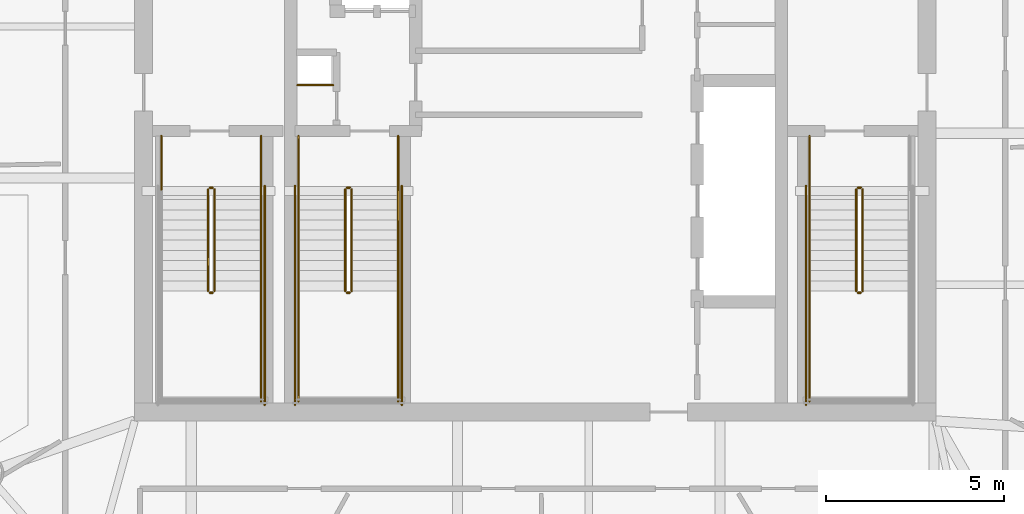
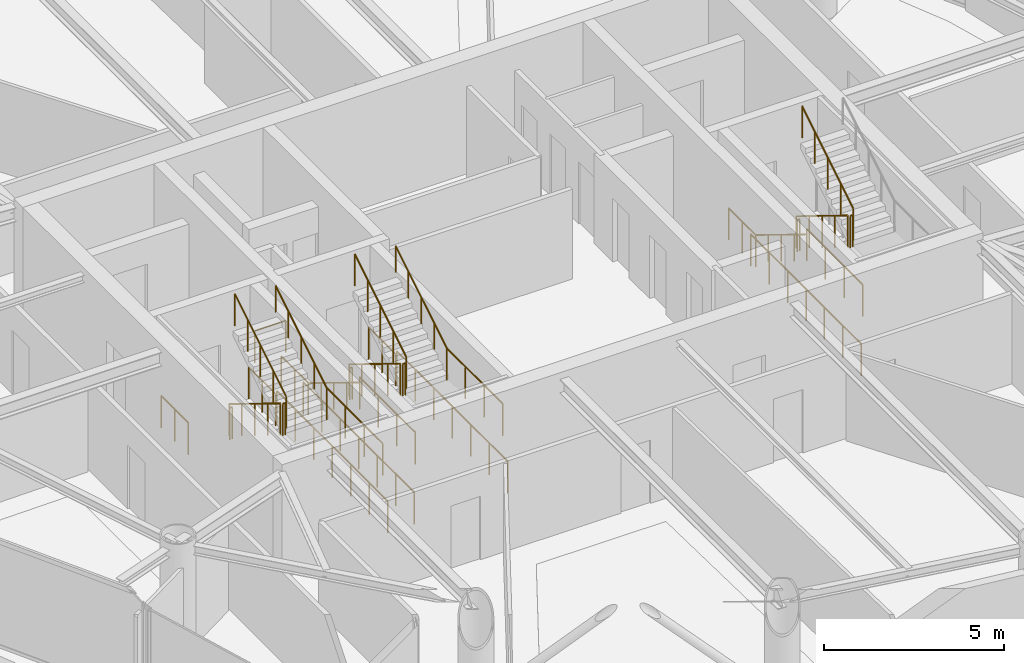
# One storey, part 21 of 22: 30 railings.
"""IFC4 building model written with IfcOpenShell, lengths in metres."""

from ifc_helpers import new_model, si_unit, direction, frame, origin, origin_2d, place, context, subcontext, project, spatial, circle, extrude, material, type_object, element, save


model = new_model("IFC4")

# Units and contexts
model_context = context("Model", 3, precision=1e-05, world=origin(), true_north=direction((0.0, 1.0)))
body_context = subcontext(model_context, "Body", "Model", "MODEL_VIEW")
ifc_project = project(units=[si_unit("LENGTHUNIT", "METRE"), si_unit("AREAUNIT", "SQUARE_METRE"), si_unit("VOLUMEUNIT", "CUBIC_METRE"), si_unit("PLANEANGLEUNIT", "RADIAN"), si_unit("MASSUNIT", "GRAM", prefix="KILO")], contexts=[model_context])

# Site, building, storey
site_placement = place(None, origin())
site = spatial("IfcSite", under=ifc_project, at=site_placement, CompositionType="ELEMENT")
building_placement = place(site_placement, origin())
building = spatial("IfcBuilding", under=site, at=building_placement, Name="Bramvorn Convention Spire", CompositionType="ELEMENT")
storey_placement = place(building_placement, frame((0.0, 0.0, 253.60009765625)))
storey = spatial("IfcBuildingStorey", under=building, at=storey_placement, Name="L64", CompositionType="ELEMENT", Elevation=253.60009765625)

# Railings
ifc_material_1 = material(Name="Painted Steel Balustrade & Guardrail", Category="steel")
railing_type_1 = type_object("IfcRailingType", Name="RL-STAIR-GUARD-1100", PredefinedType="GUARDRAIL", material=ifc_material_1)
railing_1_placement = place(storey_placement, frame((28.81005859375, 25.050048828125, 0.1748046875)))
element("IfcRailing", 1, at=railing_1_placement, inside=storey, type_object=railing_type_1, Name="L64 ST1 stair guard 1", PredefinedType="GUARDRAIL", context=body_context, shape_type="SweptSolid", body=[
    extrude(circle(Radius=0.02392578125, at=origin_2d()), frame((0.0, 0.0, 1.076171875), z_axis=(0.0, -0.852179220489, 0.52325001306), x_axis=(1.0, 0.0, 0.0)), (0.0, 0.0, 1.0), 3.344482421875),
    extrude(circle(Radius=0.02099609375, at=origin_2d()), origin(), (0.0, 0.0, 1.0), 1.052001953125),
    extrude(circle(Radius=0.02099609375, at=origin_2d()), frame((0.0, -0.71240234375, 0.4375)), (0.0, 0.0, 1.0), 1.052001953125),
    extrude(circle(Radius=0.02099609375, at=origin_2d()), frame((0.0, -1.425048828125, 0.875)), (0.0, 0.0, 1.0), 1.052001953125),
    extrude(circle(Radius=0.02099609375, at=origin_2d()), frame((0.0, -2.1376953125, 1.3125)), (0.0, 0.0, 1.0), 1.052001953125),
    extrude(circle(Radius=0.02099609375, at=origin_2d()), frame((0.0, -2.85009765625, 1.75)), (0.0, 0.0, 1.0), 1.052001953125),
])
railing_2_placement = place(storey_placement, frame((28.860107421875, 22.14990234375, 1.9248046875)))
element("IfcRailing", 2, at=railing_2_placement, inside=storey, type_object=railing_type_1, Name="L64 ST1 stair guard 2", PredefinedType="GUARDRAIL", context=body_context, shape_type="SweptSolid", body=[
    extrude(circle(Radius=0.02392578125, at=origin_2d()), frame((0.0, 0.0, 1.076171875), z_axis=(1.0, 0.0, 0.0), x_axis=(0.0, 1.0, 0.0)), (0.0, 0.0, 1.0), 0.079833984375),
    extrude(circle(Radius=0.02099609375, at=origin_2d()), origin(), (0.0, 0.0, 1.0), 1.052001953125),
    extrude(circle(Radius=0.02099609375, at=origin_2d()), frame((0.079833984375, 0.0, 0.0)), (0.0, 0.0, 1.0), 1.052001953125),
])
railing_3_placement = place(storey_placement, frame((30.300048828125, 22.199951171875, 1.9248046875)))
element("IfcRailing", 3, at=railing_3_placement, inside=storey, type_object=railing_type_1, Name="L64 ST1 stair guard 4", PredefinedType="GUARDRAIL", context=body_context, shape_type="SweptSolid", body=[
    extrude(circle(Radius=0.02392578125, at=origin_2d()), frame((0.0, 0.0, 1.076171875), z_axis=(0.0, -1.0, 0.0), x_axis=(1.0, 0.0, 0.0)), (0.0, 0.0, 1.0), 3.099853515625),
    extrude(circle(Radius=0.02099609375, at=origin_2d()), origin(), (0.0, 0.0, 1.0), 1.052001953125),
    extrude(circle(Radius=0.02099609375, at=origin_2d()), frame((0.0, -1.033203125, 0.0)), (0.0, 0.0, 1.0), 1.052001953125),
    extrude(circle(Radius=0.02099609375, at=origin_2d()), frame((0.0, -2.066650390625, 0.0)), (0.0, 0.0, 1.0), 1.052001953125),
    extrude(circle(Radius=0.02099609375, at=origin_2d()), frame((0.0, -3.099853515625, 0.0)), (0.0, 0.0, 1.0), 1.052001953125),
])
railing_4_placement = place(storey_placement, frame((28.989990234375, 22.199951171875, 2.099853515625)))
element("IfcRailing", 4, at=railing_4_placement, inside=storey, type_object=railing_type_1, Name="L64 ST1 stair guard 6", PredefinedType="GUARDRAIL", context=body_context, shape_type="SweptSolid", body=[
    extrude(circle(Radius=0.02392578125, at=origin_2d()), frame((0.0, 0.0, 1.076171875), z_axis=(0.0, 0.852179220489, 0.52325001306), x_axis=(-1.0, 0.0, 0.0)), (0.0, 0.0, 1.0), 3.344482421875),
    extrude(circle(Radius=0.02099609375, at=origin_2d()), origin(), (0.0, 0.0, 1.0), 1.052001953125),
    extrude(circle(Radius=0.02099609375, at=origin_2d()), frame((0.0, 0.71240234375, 0.4375)), (0.0, 0.0, 1.0), 1.052001953125),
    extrude(circle(Radius=0.02099609375, at=origin_2d()), frame((0.0, 1.425048828125, 0.875)), (0.0, 0.0, 1.0), 1.052001953125),
    extrude(circle(Radius=0.02099609375, at=origin_2d()), frame((0.0, 2.1376953125, 1.3125)), (0.0, 0.0, 1.0), 1.052001953125),
    extrude(circle(Radius=0.02099609375, at=origin_2d()), frame((0.0, 2.85009765625, 1.75)), (0.0, 0.0, 1.0), 1.052001953125),
])
railing_5_placement = place(storey_placement, frame((28.860107421875, 25.10009765625, 0.0)))
element("IfcRailing", 5, at=railing_5_placement, inside=storey, type_object=railing_type_1, Name="L64 ST1 stair guard 7", PredefinedType="GUARDRAIL", context=body_context, shape_type="SweptSolid", body=[
    extrude(circle(Radius=0.02392578125, at=origin_2d()), frame((0.0, 0.0, 1.076171875), z_axis=(1.0, 0.0, 0.0), x_axis=(0.0, 1.0, 0.0)), (0.0, 0.0, 1.0), 0.079833984375),
    extrude(circle(Radius=0.02099609375, at=origin_2d()), origin(), (0.0, 0.0, 1.0), 1.052001953125),
    extrude(circle(Radius=0.02099609375, at=origin_2d()), frame((0.079833984375, 0.0, 0.0)), (0.0, 0.0, 1.0), 1.052001953125),
])
for number, where, name in (
    (6, (27.5, 26.550048828125, 0.0), "L64 ST1 stair guard 8"),
    (7, (30.300048828125, 26.550048828125, 0.0), "L64 ST1 stair guard 9"),
):
    element("IfcRailing", number, at=place(storey_placement, frame(where)), inside=storey, type_object=railing_type_1, Name=name, PredefinedType="GUARDRAIL", context=body_context, shape_type="SweptSolid", body=[
        extrude(circle(Radius=0.02392578125, at=origin_2d()), frame((0.0, 0.0, 1.076171875), z_axis=(0.0, -1.0, 0.0), x_axis=(1.0, 0.0, 0.0)), (0.0, 0.0, 1.0), 1.5),
        extrude(circle(Radius=0.02099609375, at=origin_2d()), origin(), (0.0, 0.0, 1.0), 1.052001953125),
        extrude(circle(Radius=0.02099609375, at=origin_2d()), frame((0.0, -0.75, 0.0)), (0.0, 0.0, 1.0), 1.052001953125),
        extrude(circle(Radius=0.02099609375, at=origin_2d()), frame((0.0, -1.5, 0.0)), (0.0, 0.0, 1.0), 1.052001953125),
    ])
railing_6_placement = place(storey_placement, frame((30.39990234375, 25.14990234375, 0.0)))
element("IfcRailing", 8, at=railing_6_placement, inside=storey, type_object=railing_type_1, Name="L64 ST1 stair guard 11", PredefinedType="GUARDRAIL", context=body_context, shape_type="SweptSolid", body=[
    extrude(circle(Radius=0.02392578125, at=origin_2d()), frame((0.0, 0.0, 1.076171875), z_axis=(0.0, -1.0, 0.0), x_axis=(1.0, 0.0, 0.0)), (0.0, 0.0, 1.0), 6.14990234375),
    extrude(circle(Radius=0.02099609375, at=origin_2d()), origin(), (0.0, 0.0, 1.0), 1.052001953125),
    extrude(circle(Radius=0.02099609375, at=origin_2d()), frame((0.0, -1.02490234375, 0.0)), (0.0, 0.0, 1.0), 1.052001953125),
    extrude(circle(Radius=0.02099609375, at=origin_2d()), frame((0.0, -2.050048828125, 0.0)), (0.0, 0.0, 1.0), 1.052001953125),
    extrude(circle(Radius=0.02099609375, at=origin_2d()), frame((0.0, -3.074951171875, 0.0)), (0.0, 0.0, 1.0), 1.052001953125),
    extrude(circle(Radius=0.02099609375, at=origin_2d()), frame((0.0, -4.099853515625, 0.0)), (0.0, 0.0, 1.0), 1.052001953125),
    extrude(circle(Radius=0.02099609375, at=origin_2d()), frame((0.0, -5.125, 0.0)), (0.0, 0.0, 1.0), 1.052001953125),
    extrude(circle(Radius=0.02099609375, at=origin_2d()), frame((0.0, -6.14990234375, 0.0)), (0.0, 0.0, 1.0), 1.052001953125),
])
railing_7_placement = place(storey_placement, frame((47.010009765625, 25.050048828125, 0.1748046875)))
element("IfcRailing", 9, at=railing_7_placement, inside=storey, type_object=railing_type_1, Name="L64 ST2 stair guard 1", PredefinedType="GUARDRAIL", context=body_context, shape_type="SweptSolid", body=[
    extrude(circle(Radius=0.02392578125, at=origin_2d()), frame((0.0, 0.0, 1.076171875), z_axis=(0.0, -0.852179220489, 0.52325001306), x_axis=(1.0, 0.0, 0.0)), (0.0, 0.0, 1.0), 3.344482421875),
    extrude(circle(Radius=0.02099609375, at=origin_2d()), origin(), (0.0, 0.0, 1.0), 1.052001953125),
    extrude(circle(Radius=0.02099609375, at=origin_2d()), frame((0.0, -0.71240234375, 0.4375)), (0.0, 0.0, 1.0), 1.052001953125),
    extrude(circle(Radius=0.02099609375, at=origin_2d()), frame((0.0, -1.425048828125, 0.875)), (0.0, 0.0, 1.0), 1.052001953125),
    extrude(circle(Radius=0.02099609375, at=origin_2d()), frame((0.0, -2.1376953125, 1.3125)), (0.0, 0.0, 1.0), 1.052001953125),
    extrude(circle(Radius=0.02099609375, at=origin_2d()), frame((0.0, -2.85009765625, 1.75)), (0.0, 0.0, 1.0), 1.052001953125),
])
railing_8_placement = place(storey_placement, frame((47.06005859375, 22.14990234375, 1.9248046875)))
element("IfcRailing", 10, at=railing_8_placement, inside=storey, type_object=railing_type_1, Name="L64 ST2 stair guard 2", PredefinedType="GUARDRAIL", context=body_context, shape_type="SweptSolid", body=[
    extrude(circle(Radius=0.02392578125, at=origin_2d()), frame((0.0, 0.0, 1.076171875), z_axis=(1.0, 0.0, 0.0), x_axis=(0.0, 1.0, 0.0)), (0.0, 0.0, 1.0), 0.079833984375),
    extrude(circle(Radius=0.02099609375, at=origin_2d()), origin(), (0.0, 0.0, 1.0), 1.052001953125),
    extrude(circle(Radius=0.02099609375, at=origin_2d()), frame((0.079833984375, 0.0, 0.0)), (0.0, 0.0, 1.0), 1.052001953125),
])
railing_9_placement = place(storey_placement, frame((45.699951171875, 22.199951171875, 1.9248046875)))
element("IfcRailing", 11, at=railing_9_placement, inside=storey, type_object=railing_type_1, Name="L64 ST2 stair guard 3", PredefinedType="GUARDRAIL", context=body_context, shape_type="SweptSolid", body=[
    extrude(circle(Radius=0.02392578125, at=origin_2d()), frame((0.0, 0.0, 1.076171875), z_axis=(0.0, -1.0, 0.0), x_axis=(1.0, 0.0, 0.0)), (0.0, 0.0, 1.0), 3.099853515625),
    extrude(circle(Radius=0.02099609375, at=origin_2d()), origin(), (0.0, 0.0, 1.0), 1.052001953125),
    extrude(circle(Radius=0.02099609375, at=origin_2d()), frame((0.0, -1.033203125, 0.0)), (0.0, 0.0, 1.0), 1.052001953125),
    extrude(circle(Radius=0.02099609375, at=origin_2d()), frame((0.0, -2.066650390625, 0.0)), (0.0, 0.0, 1.0), 1.052001953125),
    extrude(circle(Radius=0.02099609375, at=origin_2d()), frame((0.0, -3.099853515625, 0.0)), (0.0, 0.0, 1.0), 1.052001953125),
])
railing_10_placement = place(storey_placement, frame((47.18994140625, 22.199951171875, 2.099853515625)))
element("IfcRailing", 12, at=railing_10_placement, inside=storey, type_object=railing_type_1, Name="L64 ST2 stair guard 6", PredefinedType="GUARDRAIL", context=body_context, shape_type="SweptSolid", body=[
    extrude(circle(Radius=0.02392578125, at=origin_2d()), frame((0.0, 0.0, 1.076171875), z_axis=(0.0, 0.852179220489, 0.52325001306), x_axis=(-1.0, 0.0, 0.0)), (0.0, 0.0, 1.0), 3.344482421875),
    extrude(circle(Radius=0.02099609375, at=origin_2d()), origin(), (0.0, 0.0, 1.0), 1.052001953125),
    extrude(circle(Radius=0.02099609375, at=origin_2d()), frame((0.0, 0.71240234375, 0.4375)), (0.0, 0.0, 1.0), 1.052001953125),
    extrude(circle(Radius=0.02099609375, at=origin_2d()), frame((0.0, 1.425048828125, 0.875)), (0.0, 0.0, 1.0), 1.052001953125),
    extrude(circle(Radius=0.02099609375, at=origin_2d()), frame((0.0, 2.1376953125, 1.3125)), (0.0, 0.0, 1.0), 1.052001953125),
    extrude(circle(Radius=0.02099609375, at=origin_2d()), frame((0.0, 2.85009765625, 1.75)), (0.0, 0.0, 1.0), 1.052001953125),
])
railing_11_placement = place(storey_placement, frame((47.06005859375, 25.10009765625, 0.0)))
element("IfcRailing", 13, at=railing_11_placement, inside=storey, type_object=railing_type_1, Name="L64 ST2 stair guard 7", PredefinedType="GUARDRAIL", context=body_context, shape_type="SweptSolid", body=[
    extrude(circle(Radius=0.02392578125, at=origin_2d()), frame((0.0, 0.0, 1.076171875), z_axis=(1.0, 0.0, 0.0), x_axis=(0.0, 1.0, 0.0)), (0.0, 0.0, 1.0), 0.079833984375),
    extrude(circle(Radius=0.02099609375, at=origin_2d()), origin(), (0.0, 0.0, 1.0), 1.052001953125),
    extrude(circle(Radius=0.02099609375, at=origin_2d()), frame((0.079833984375, 0.0, 0.0)), (0.0, 0.0, 1.0), 1.052001953125),
])
railing_12_placement = place(storey_placement, frame((45.699951171875, 26.550048828125, 0.0)))
element("IfcRailing", 14, at=railing_12_placement, inside=storey, type_object=railing_type_1, Name="L64 ST2 stair guard 8", PredefinedType="GUARDRAIL", context=body_context, shape_type="SweptSolid", body=[
    extrude(circle(Radius=0.02392578125, at=origin_2d()), frame((0.0, 0.0, 1.076171875), z_axis=(0.0, -1.0, 0.0), x_axis=(1.0, 0.0, 0.0)), (0.0, 0.0, 1.0), 1.5),
    extrude(circle(Radius=0.02099609375, at=origin_2d()), origin(), (0.0, 0.0, 1.0), 1.052001953125),
    extrude(circle(Radius=0.02099609375, at=origin_2d()), frame((0.0, -0.75, 0.0)), (0.0, 0.0, 1.0), 1.052001953125),
    extrude(circle(Radius=0.02099609375, at=origin_2d()), frame((0.0, -1.5, 0.0)), (0.0, 0.0, 1.0), 1.052001953125),
])
railing_13_placement = place(storey_placement, frame((45.60009765625, 25.14990234375, 0.0)))
element("IfcRailing", 15, at=railing_13_placement, inside=storey, type_object=railing_type_1, Name="L64 ST2 stair guard 10", PredefinedType="GUARDRAIL", context=body_context, shape_type="SweptSolid", body=[
    extrude(circle(Radius=0.02392578125, at=origin_2d()), frame((0.0, 0.0, 1.076171875), z_axis=(0.0, -1.0, 0.0), x_axis=(1.0, 0.0, 0.0)), (0.0, 0.0, 1.0), 6.14990234375),
    extrude(circle(Radius=0.02099609375, at=origin_2d()), origin(), (0.0, 0.0, 1.0), 1.052001953125),
    extrude(circle(Radius=0.02099609375, at=origin_2d()), frame((0.0, -1.02490234375, 0.0)), (0.0, 0.0, 1.0), 1.052001953125),
    extrude(circle(Radius=0.02099609375, at=origin_2d()), frame((0.0, -2.050048828125, 0.0)), (0.0, 0.0, 1.0), 1.052001953125),
    extrude(circle(Radius=0.02099609375, at=origin_2d()), frame((0.0, -3.074951171875, 0.0)), (0.0, 0.0, 1.0), 1.052001953125),
    extrude(circle(Radius=0.02099609375, at=origin_2d()), frame((0.0, -4.099853515625, 0.0)), (0.0, 0.0, 1.0), 1.052001953125),
    extrude(circle(Radius=0.02099609375, at=origin_2d()), frame((0.0, -5.125, 0.0)), (0.0, 0.0, 1.0), 1.052001953125),
    extrude(circle(Radius=0.02099609375, at=origin_2d()), frame((0.0, -6.14990234375, 0.0)), (0.0, 0.0, 1.0), 1.052001953125),
])
railing_14_placement = place(storey_placement, frame((32.659912109375, 25.050048828125, 0.1748046875)))
element("IfcRailing", 16, at=railing_14_placement, inside=storey, type_object=railing_type_1, Name="L64 ST3 stair guard 1", PredefinedType="GUARDRAIL", context=body_context, shape_type="SweptSolid", body=[
    extrude(circle(Radius=0.02392578125, at=origin_2d()), frame((0.0, 0.0, 1.076171875), z_axis=(0.0, -0.852179220489, 0.52325001306), x_axis=(1.0, 0.0, 0.0)), (0.0, 0.0, 1.0), 3.344482421875),
    extrude(circle(Radius=0.02099609375, at=origin_2d()), origin(), (0.0, 0.0, 1.0), 1.052001953125),
    extrude(circle(Radius=0.02099609375, at=origin_2d()), frame((0.0, -0.71240234375, 0.4375)), (0.0, 0.0, 1.0), 1.052001953125),
    extrude(circle(Radius=0.02099609375, at=origin_2d()), frame((0.0, -1.425048828125, 0.875)), (0.0, 0.0, 1.0), 1.052001953125),
    extrude(circle(Radius=0.02099609375, at=origin_2d()), frame((0.0, -2.1376953125, 1.3125)), (0.0, 0.0, 1.0), 1.052001953125),
    extrude(circle(Radius=0.02099609375, at=origin_2d()), frame((0.0, -2.85009765625, 1.75)), (0.0, 0.0, 1.0), 1.052001953125),
])
railing_15_placement = place(storey_placement, frame((32.7099609375, 22.14990234375, 1.9248046875)))
element("IfcRailing", 17, at=railing_15_placement, inside=storey, type_object=railing_type_1, Name="L64 ST3 stair guard 2", PredefinedType="GUARDRAIL", context=body_context, shape_type="SweptSolid", body=[
    extrude(circle(Radius=0.02392578125, at=origin_2d()), frame((0.0, 0.0, 1.076171875), z_axis=(1.0, 0.0, 0.0), x_axis=(0.0, 1.0, 0.0)), (0.0, 0.0, 1.0), 0.080078125),
    extrude(circle(Radius=0.02099609375, at=origin_2d()), origin(), (0.0, 0.0, 1.0), 1.052001953125),
    extrude(circle(Radius=0.02099609375, at=origin_2d()), frame((0.080078125, 0.0, 0.0)), (0.0, 0.0, 1.0), 1.052001953125),
])
for number, where, name in (
    (18, (31.35009765625, 22.199951171875, 1.9248046875), "L64 ST3 stair guard 3"),
    (19, (34.14990234375, 22.199951171875, 1.9248046875), "L64 ST3 stair guard 4"),
):
    element("IfcRailing", number, at=place(storey_placement, frame(where)), inside=storey, type_object=railing_type_1, Name=name, PredefinedType="GUARDRAIL", context=body_context, shape_type="SweptSolid", body=[
        extrude(circle(Radius=0.02392578125, at=origin_2d()), frame((0.0, 0.0, 1.076171875), z_axis=(0.0, -1.0, 0.0), x_axis=(1.0, 0.0, 0.0)), (0.0, 0.0, 1.0), 3.099853515625),
        extrude(circle(Radius=0.02099609375, at=origin_2d()), origin(), (0.0, 0.0, 1.0), 1.052001953125),
        extrude(circle(Radius=0.02099609375, at=origin_2d()), frame((0.0, -1.033203125, 0.0)), (0.0, 0.0, 1.0), 1.052001953125),
        extrude(circle(Radius=0.02099609375, at=origin_2d()), frame((0.0, -2.066650390625, 0.0)), (0.0, 0.0, 1.0), 1.052001953125),
        extrude(circle(Radius=0.02099609375, at=origin_2d()), frame((0.0, -3.099853515625, 0.0)), (0.0, 0.0, 1.0), 1.052001953125),
    ])
railing_16_placement = place(storey_placement, frame((32.840087890625, 22.199951171875, 2.099853515625)))
element("IfcRailing", 20, at=railing_16_placement, inside=storey, type_object=railing_type_1, Name="L64 ST3 stair guard 6", PredefinedType="GUARDRAIL", context=body_context, shape_type="SweptSolid", body=[
    extrude(circle(Radius=0.02392578125, at=origin_2d()), frame((0.0, 0.0, 1.076171875), z_axis=(0.0, 0.852179220489, 0.52325001306), x_axis=(-1.0, 0.0, 0.0)), (0.0, 0.0, 1.0), 3.344482421875),
    extrude(circle(Radius=0.02099609375, at=origin_2d()), origin(), (0.0, 0.0, 1.0), 1.052001953125),
    extrude(circle(Radius=0.02099609375, at=origin_2d()), frame((0.0, 0.71240234375, 0.4375)), (0.0, 0.0, 1.0), 1.052001953125),
    extrude(circle(Radius=0.02099609375, at=origin_2d()), frame((0.0, 1.425048828125, 0.875)), (0.0, 0.0, 1.0), 1.052001953125),
    extrude(circle(Radius=0.02099609375, at=origin_2d()), frame((0.0, 2.1376953125, 1.3125)), (0.0, 0.0, 1.0), 1.052001953125),
    extrude(circle(Radius=0.02099609375, at=origin_2d()), frame((0.0, 2.85009765625, 1.75)), (0.0, 0.0, 1.0), 1.052001953125),
])
railing_17_placement = place(storey_placement, frame((32.7099609375, 25.10009765625, 0.0)))
element("IfcRailing", 21, at=railing_17_placement, inside=storey, type_object=railing_type_1, Name="L64 ST3 stair guard 7", PredefinedType="GUARDRAIL", context=body_context, shape_type="SweptSolid", body=[
    extrude(circle(Radius=0.02392578125, at=origin_2d()), frame((0.0, 0.0, 1.076171875), z_axis=(1.0, 0.0, 0.0), x_axis=(0.0, 1.0, 0.0)), (0.0, 0.0, 1.0), 0.080078125),
    extrude(circle(Radius=0.02099609375, at=origin_2d()), origin(), (0.0, 0.0, 1.0), 1.052001953125),
    extrude(circle(Radius=0.02099609375, at=origin_2d()), frame((0.080078125, 0.0, 0.0)), (0.0, 0.0, 1.0), 1.052001953125),
])
for number, where, name in (
    (22, (31.35009765625, 26.550048828125, 0.0), "L64 ST3 stair guard 8"),
    (23, (34.14990234375, 26.550048828125, 0.0), "L64 ST3 stair guard 9"),
):
    element("IfcRailing", number, at=place(storey_placement, frame(where)), inside=storey, type_object=railing_type_1, Name=name, PredefinedType="GUARDRAIL", context=body_context, shape_type="SweptSolid", body=[
        extrude(circle(Radius=0.02392578125, at=origin_2d()), frame((0.0, 0.0, 1.076171875), z_axis=(0.0, -1.0, 0.0), x_axis=(1.0, 0.0, 0.0)), (0.0, 0.0, 1.0), 1.5),
        extrude(circle(Radius=0.02099609375, at=origin_2d()), origin(), (0.0, 0.0, 1.0), 1.052001953125),
        extrude(circle(Radius=0.02099609375, at=origin_2d()), frame((0.0, -0.75, 0.0)), (0.0, 0.0, 1.0), 1.052001953125),
        extrude(circle(Radius=0.02099609375, at=origin_2d()), frame((0.0, -1.5, 0.0)), (0.0, 0.0, 1.0), 1.052001953125),
    ])
for number, where, name in (
    (24, (31.25, 25.14990234375, 0.0), "L64 ST3 stair guard 10"),
    (25, (34.25, 25.14990234375, 0.0), "L64 ST3 stair guard 11"),
):
    element("IfcRailing", number, at=place(storey_placement, frame(where)), inside=storey, type_object=railing_type_1, Name=name, PredefinedType="GUARDRAIL", context=body_context, shape_type="SweptSolid", body=[
        extrude(circle(Radius=0.02392578125, at=origin_2d()), frame((0.0, 0.0, 1.076171875), z_axis=(0.0, -1.0, 0.0), x_axis=(1.0, 0.0, 0.0)), (0.0, 0.0, 1.0), 6.14990234375),
        extrude(circle(Radius=0.02099609375, at=origin_2d()), origin(), (0.0, 0.0, 1.0), 1.052001953125),
        extrude(circle(Radius=0.02099609375, at=origin_2d()), frame((0.0, -1.02490234375, 0.0)), (0.0, 0.0, 1.0), 1.052001953125),
        extrude(circle(Radius=0.02099609375, at=origin_2d()), frame((0.0, -2.050048828125, 0.0)), (0.0, 0.0, 1.0), 1.052001953125),
        extrude(circle(Radius=0.02099609375, at=origin_2d()), frame((0.0, -3.074951171875, 0.0)), (0.0, 0.0, 1.0), 1.052001953125),
        extrude(circle(Radius=0.02099609375, at=origin_2d()), frame((0.0, -4.099853515625, 0.0)), (0.0, 0.0, 1.0), 1.052001953125),
        extrude(circle(Radius=0.02099609375, at=origin_2d()), frame((0.0, -5.125, 0.0)), (0.0, 0.0, 1.0), 1.052001953125),
        extrude(circle(Radius=0.02099609375, at=origin_2d()), frame((0.0, -6.14990234375, 0.0)), (0.0, 0.0, 1.0), 1.052001953125),
    ])
railing_18_placement = place(storey_placement, frame((31.320068359375, 27.97998046875, 0.0)))
element("IfcRailing", 26, at=railing_18_placement, inside=storey, type_object=railing_type_1, Name="L64 Telecom riser shaft opening safety guardrail", PredefinedType="GUARDRAIL", context=body_context, shape_type="SweptSolid", body=[
    extrude(circle(Radius=0.02392578125, at=origin_2d()), frame((0.0, 0.0, 1.076171875), z_axis=(1.0, 0.0, 0.0), x_axis=(0.0, 1.0, 0.0)), (0.0, 0.0, 1.0), 1.0),
    extrude(circle(Radius=0.02099609375, at=origin_2d()), origin(), (0.0, 0.0, 1.0), 1.052001953125),
    extrude(circle(Radius=0.02099609375, at=origin_2d()), frame((1.0, 0.0, 0.0)), (0.0, 0.0, 1.0), 1.052001953125),
])
ifc_material_2 = material(Name="Brushed Bronze Tubular Handrail", Category="aluminium")
railing_type_2 = type_object("IfcRailingType", Name="RL-STAIR-HR-920", PredefinedType="HANDRAIL", material=ifc_material_2)
railing_19_placement = place(storey_placement, frame((30.300048828125, 22.199951171875, 2.099853515625)))
element("IfcRailing", 27, at=railing_19_placement, inside=storey, type_object=railing_type_2, Name="L64 ST1 stair handrail 2", PredefinedType="HANDRAIL", context=body_context, shape_type="SweptSolid", body=[
    extrude(circle(Radius=0.02392578125, at=origin_2d()), frame((0.0, 0.0, 0.89599609375), z_axis=(0.0, 0.852179220489, 0.52325001306), x_axis=(-1.0, 0.0, 0.0)), (0.0, 0.0, 1.0), 3.344482421875),
    extrude(circle(Radius=0.02099609375, at=origin_2d()), origin(), (0.0, 0.0, 1.0), 0.871826171875),
    extrude(circle(Radius=0.02099609375, at=origin_2d()), frame((0.0, 0.71240234375, 0.4375)), (0.0, 0.0, 1.0), 0.871826171875),
    extrude(circle(Radius=0.02099609375, at=origin_2d()), frame((0.0, 1.425048828125, 0.875)), (0.0, 0.0, 1.0), 0.871826171875),
    extrude(circle(Radius=0.02099609375, at=origin_2d()), frame((0.0, 2.1376953125, 1.3125)), (0.0, 0.0, 1.0), 0.871826171875),
    extrude(circle(Radius=0.02099609375, at=origin_2d()), frame((0.0, 2.85009765625, 1.75)), (0.0, 0.0, 1.0), 0.871826171875),
])
for number, where, name in (
    (28, (45.699951171875, 25.050048828125, 0.1748046875), "L64 ST2 stair handrail 1"),
    (29, (31.35009765625, 25.050048828125, 0.1748046875), "L64 ST3 stair handrail 1"),
):
    element("IfcRailing", number, at=place(storey_placement, frame(where)), inside=storey, type_object=railing_type_2, Name=name, PredefinedType="HANDRAIL", context=body_context, shape_type="SweptSolid", body=[
        extrude(circle(Radius=0.02392578125, at=origin_2d()), frame((0.0, 0.0, 0.89599609375), z_axis=(0.0, -0.852179220489, 0.52325001306), x_axis=(1.0, 0.0, 0.0)), (0.0, 0.0, 1.0), 3.344482421875),
        extrude(circle(Radius=0.02099609375, at=origin_2d()), origin(), (0.0, 0.0, 1.0), 0.871826171875),
        extrude(circle(Radius=0.02099609375, at=origin_2d()), frame((0.0, -0.71240234375, 0.4375)), (0.0, 0.0, 1.0), 0.871826171875),
        extrude(circle(Radius=0.02099609375, at=origin_2d()), frame((0.0, -1.425048828125, 0.875)), (0.0, 0.0, 1.0), 0.871826171875),
        extrude(circle(Radius=0.02099609375, at=origin_2d()), frame((0.0, -2.1376953125, 1.3125)), (0.0, 0.0, 1.0), 0.871826171875),
        extrude(circle(Radius=0.02099609375, at=origin_2d()), frame((0.0, -2.85009765625, 1.75)), (0.0, 0.0, 1.0), 0.871826171875),
    ])
railing_20_placement = place(storey_placement, frame((34.14990234375, 22.199951171875, 2.099853515625)))
element("IfcRailing", 30, at=railing_20_placement, inside=storey, type_object=railing_type_2, Name="L64 ST3 stair handrail 2", PredefinedType="HANDRAIL", context=body_context, shape_type="SweptSolid", body=[
    extrude(circle(Radius=0.02392578125, at=origin_2d()), frame((0.0, 0.0, 0.89599609375), z_axis=(0.0, 0.852179220489, 0.52325001306), x_axis=(-1.0, 0.0, 0.0)), (0.0, 0.0, 1.0), 3.344482421875),
    extrude(circle(Radius=0.02099609375, at=origin_2d()), origin(), (0.0, 0.0, 1.0), 0.871826171875),
    extrude(circle(Radius=0.02099609375, at=origin_2d()), frame((0.0, 0.71240234375, 0.4375)), (0.0, 0.0, 1.0), 0.871826171875),
    extrude(circle(Radius=0.02099609375, at=origin_2d()), frame((0.0, 1.425048828125, 0.875)), (0.0, 0.0, 1.0), 0.871826171875),
    extrude(circle(Radius=0.02099609375, at=origin_2d()), frame((0.0, 2.1376953125, 1.3125)), (0.0, 0.0, 1.0), 0.871826171875),
    extrude(circle(Radius=0.02099609375, at=origin_2d()), frame((0.0, 2.85009765625, 1.75)), (0.0, 0.0, 1.0), 0.871826171875),
])

save(model, "model.ifc")
